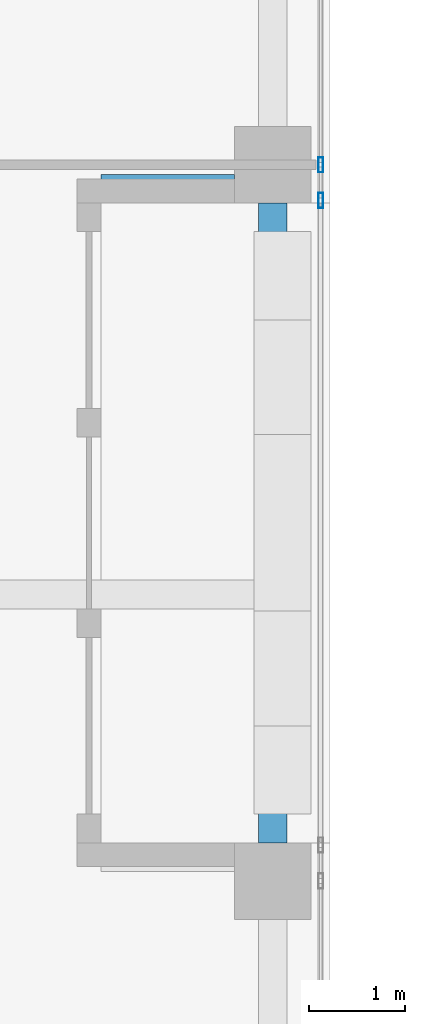
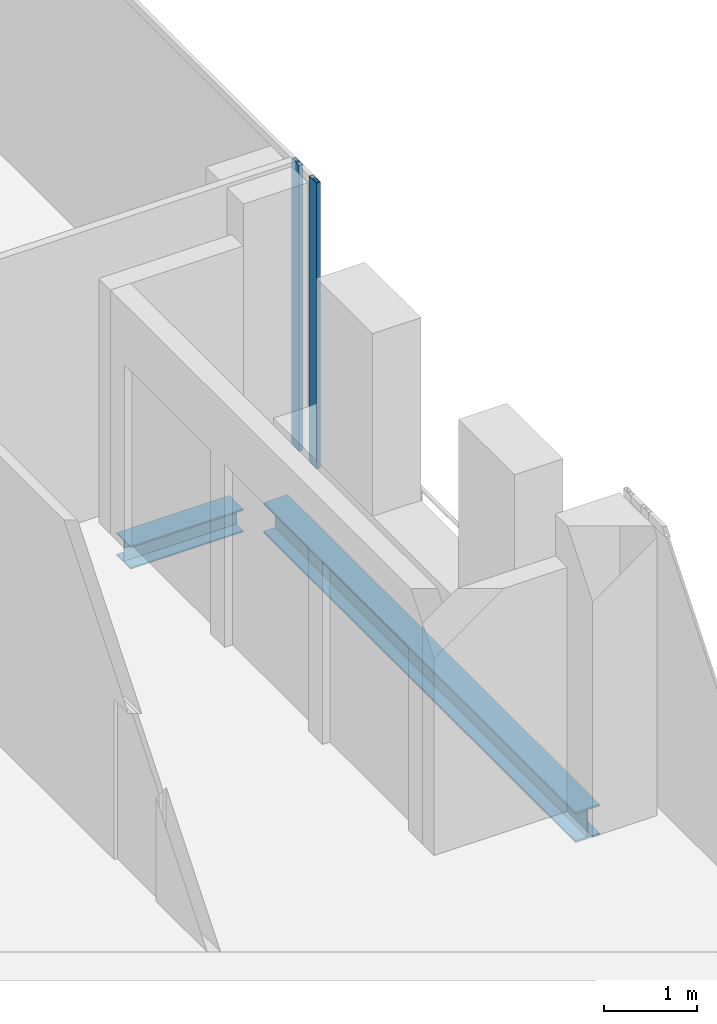
# One storey, part 10 of 29: 2 beams, 2 members, 1 element without a shape of its own.
"""IFC4 building model written with IfcOpenShell, lengths in metres."""

from ifc_helpers import new_model, si_unit, direction, frame, origin, origin_2d, place, context, subcontext, project, spatial, hollow_rectangle, i_section, extrude, source, transform, mapped, material, material_profile, profile_set, type_object, element, aggregate, save


model = new_model("IFC4")

# Units and contexts
model_context = context("Model", 3, precision=1e-05, world=origin(), true_north=direction((0.0, 1.0)))
body_context = subcontext(model_context, "Body", "Model", "MODEL_VIEW")
ifc_project = project(units=[si_unit("LENGTHUNIT", "METRE"), si_unit("AREAUNIT", "SQUARE_METRE"), si_unit("VOLUMEUNIT", "CUBIC_METRE"), si_unit("PLANEANGLEUNIT", "RADIAN"), si_unit("MASSUNIT", "GRAM", prefix="KILO")], contexts=[model_context])

# Site, building, storey
site_placement = place(None, origin())
site = spatial("IfcSite", under=ifc_project, at=site_placement, CompositionType="ELEMENT")
building_placement = place(site_placement, origin())
building = spatial("IfcBuilding", under=site, at=building_placement, Name="Khomas Fold Tower", CompositionType="ELEMENT")
storey_placement = place(building_placement, frame((0.0, 0.0, 286.199951171875)))
storey = spatial("IfcBuildingStorey", under=building, at=storey_placement, Name="L64", CompositionType="ELEMENT", Elevation=286.199951171875)

# Beams
ifc_material_1 = material(Name="Steel S355", Category="steel")
ifc_material_profile_1 = material_profile(ifc_material_1, i_section(OverallWidth=0.300048828125, OverallDepth=0.39990234375, WebThickness=0.013427734375, FlangeThickness=0.02392578125, at=origin_2d()), Name="HE 400 B")
ifc_profile_set_1 = profile_set([ifc_material_profile_1], Name="Steel S355")
beam_type_1 = type_object("IfcBeamType", Name="HE 400 B spandrel SB5", PredefinedType="SPANDREL", material=ifc_profile_set_1)
shared_shape_1 = source(origin(), body_context, "Body", "SweptSolid", [
    extrude(i_section(OverallWidth=0.300048828125, OverallDepth=0.39990234375, WebThickness=0.013427734375, FlangeThickness=0.02392578125, at=origin_2d()), origin(), (0.0, 0.0, 1.0), 6.7001953125),
])
beam_1_placement = place(storey_placement, frame((47.39990234375, 19.89990234375, -0.449951171875), z_axis=(0.0, 1.0, 0.0), x_axis=(-1.0, 0.0, 0.0)))
element("IfcBeam", 1, at=beam_1_placement, inside=storey, type_object=beam_type_1, Name="SB5", PredefinedType="SPANDREL", context=body_context, shape_type="MappedRepresentation", body=[
    mapped(shared_shape_1, transform((0.0, 0.0, 0.0))),
])
ifc_material_2 = material(Name="Steel S355", Category="steel")
ifc_material_profile_2 = material_profile(ifc_material_2, i_section(OverallWidth=0.300048828125, OverallDepth=0.300048828125, WebThickness=0.010986328125, FlangeThickness=0.01904296875, at=origin_2d()), Name="HE 300 B")
ifc_profile_set_2 = profile_set([ifc_material_profile_2], Name="Steel S355")
beam_type_2 = type_object("IfcBeamType", Name="HE 300 B beam BB1", PredefinedType="BEAM", material=ifc_profile_set_2)
shared_shape_2 = source(origin(), body_context, "Body", "SweptSolid", [
    extrude(i_section(OverallWidth=0.300048828125, OverallDepth=0.300048828125, WebThickness=0.010986328125, FlangeThickness=0.01904296875, at=origin_2d()), origin(), (0.0, 0.0, 1.0), 1.39990234375),
])
beam_2_placement = place(storey_placement, frame((45.60009765625, 26.75, -0.39990234375), z_axis=(1.0, 0.0, 0.0), x_axis=(0.0, 1.0, 0.0)))
element("IfcBeam", 2, at=beam_2_placement, inside=storey, type_object=beam_type_2, Name="BB1", PredefinedType="BEAM", context=body_context, shape_type="MappedRepresentation", body=[
    mapped(shared_shape_2, transform((0.0, 0.0, 0.0))),
])

# Curtain wall, members
ifc_material_3 = material(Name="Aluminium framed double glazing", Category="aluminium")
curtain_wall_type = type_object("IfcCurtainWallType", Name="SK-Unitised clear-glass wall, upper floors CW3", PredefinedType="NOTDEFINED", material=ifc_material_3)
curtain_wall_placement = place(storey_placement, origin())
curtain_wall = element("IfcCurtainWall", 3, at=curtain_wall_placement, inside=storey, type_object=curtain_wall_type, Name="CW3 run L64 03-1", PredefinedType="NOTDEFINED")
ifc_material_4 = material(Name="Aluminium", Category="aluminium")
ifc_material_profile_3 = material_profile(ifc_material_4, hollow_rectangle(XDim=0.050048828125, YDim=0.159912109375, WallThickness=0.00390625, at=origin_2d()), Name="SK-Unitised clear-glass wall, upper floors mullion CW3-M")
ifc_profile_set_3 = profile_set([ifc_material_profile_3], Name="Aluminium")
member_type = type_object("IfcMemberType", Name="SK-Unitised clear-glass wall, upper floors mullion CW3-M", PredefinedType="MULLION", material=ifc_profile_set_3)
shared_shape_3 = source(origin(), body_context, "Body", "SweptSolid", [
    extrude(hollow_rectangle(XDim=0.050048828125, YDim=0.159912109375, WallThickness=0.00390625, at=origin_2d()), origin(), (0.0, 0.0, 1.0), 3.75),
])
member_1_placement = place(storey_placement, frame((47.89990234375, 26.625, 0.0), z_axis=(0.0, 0.0, 1.0), x_axis=(-1.0, 0.0, 0.0)))
member_1 = element("IfcMember", 4, at=member_1_placement, type_object=member_type, Name="CW3 mullion 1", PredefinedType="MULLION", context=body_context, shape_type="MappedRepresentation", body=[
    mapped(shared_shape_3, transform((0.0, 0.0, 0.0))),
])
member_2_placement = place(storey_placement, frame((47.89990234375, 27.0, 0.0), z_axis=(0.0, 0.0, 1.0), x_axis=(-1.0, 0.0, 0.0)))
member_2 = element("IfcMember", 5, at=member_2_placement, type_object=member_type, Name="CW3 mullion 2", PredefinedType="MULLION", context=body_context, shape_type="MappedRepresentation", body=[
    mapped(shared_shape_3, transform((0.0, 0.0, 0.0))),
])
aggregate(curtain_wall, [member_1, member_2])

save(model, "model.ifc")
